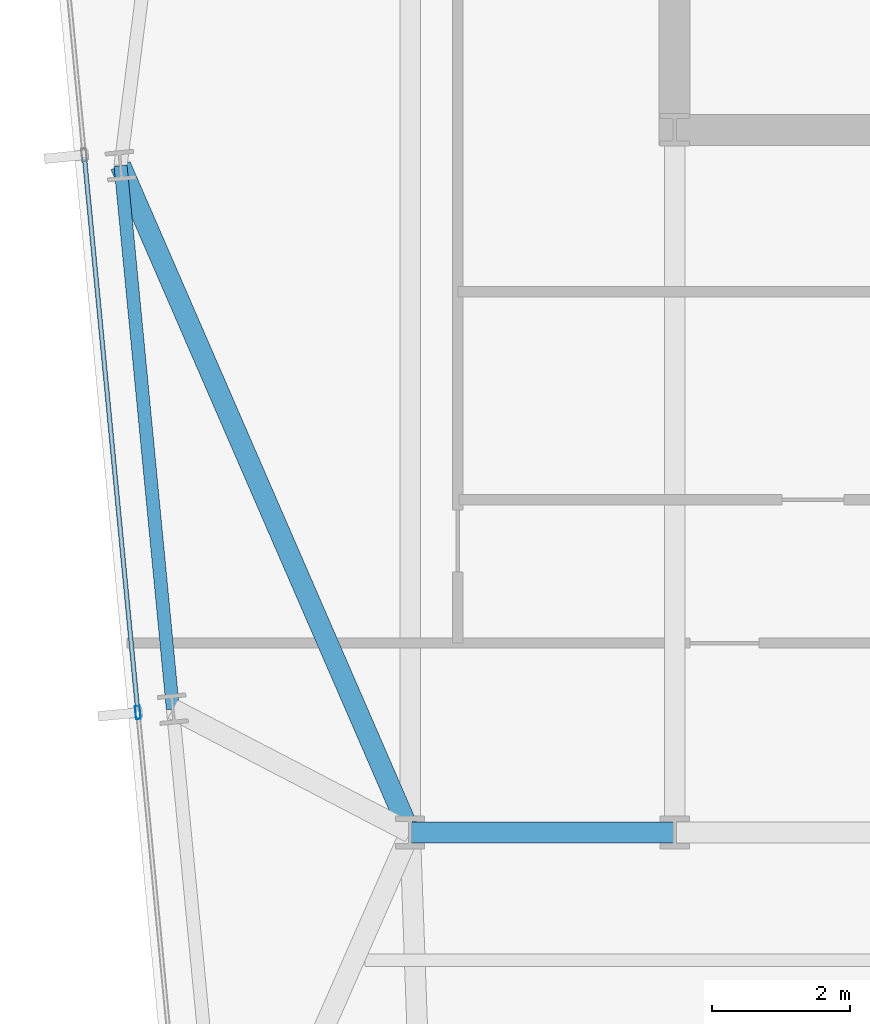
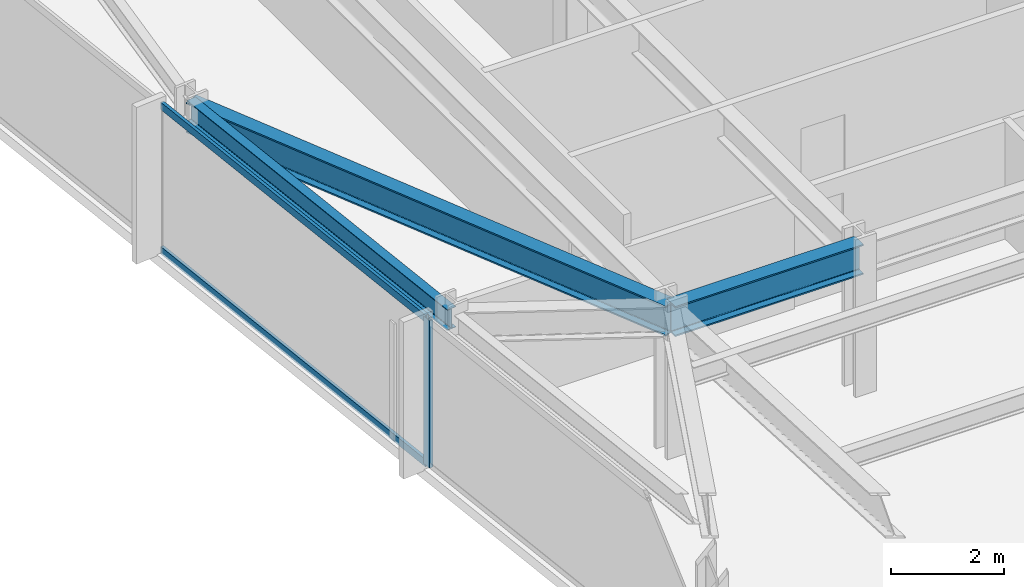
# One storey, part 6 of 32: 3 beams, 3 members, 1 element without a shape of its own.
"""IFC4 building model written with IfcOpenShell, lengths in metres."""

from ifc_helpers import new_model, si_unit, direction, frame, origin, origin_2d, place, context, subcontext, project, spatial, hollow_rectangle, i_section, extrude, material, material_profile, profile_set, type_object, element, aggregate, save


model = new_model("IFC4")

# Units and contexts
model_context = context("Model", 3, precision=1e-05, world=origin(), true_north=direction((0.0, 1.0)))
body_context = subcontext(model_context, "Body", "Model", "MODEL_VIEW")
ifc_project = project(units=[si_unit("LENGTHUNIT", "METRE"), si_unit("AREAUNIT", "SQUARE_METRE"), si_unit("VOLUMEUNIT", "CUBIC_METRE"), si_unit("PLANEANGLEUNIT", "RADIAN"), si_unit("MASSUNIT", "GRAM", prefix="KILO")], contexts=[model_context])

# Site, building, storey
site_placement = place(None, origin())
site = spatial("IfcSite", under=ifc_project, at=site_placement, CompositionType="ELEMENT")
building_placement = place(site_placement, origin())
building = spatial("IfcBuilding", under=site, at=building_placement, Name="Yelkora Congress Tower", CompositionType="ELEMENT")
storey_placement = place(building_placement, frame((0.0, 0.0, 130.5)))
storey = spatial("IfcBuildingStorey", under=building, at=storey_placement, Name="L35", CompositionType="ELEMENT", Elevation=130.5)

# Beams
ifc_material_1 = material(Name="Steel S355J2", Category="steel")
ifc_material_profile_1 = material_profile(ifc_material_1, i_section(OverallWidth=0.300048828125, OverallDepth=0.64990234375, WebThickness=0.01611328125, FlangeThickness=0.031005859375, FilletRadius=0.027099609375, at=origin_2d()), Name="HEB 650")
ifc_profile_set_1 = profile_set([ifc_material_profile_1], Name="Steel S355J2")
beam_type_1 = type_object("IfcBeamType", Name="BM-GIRD-HEB650", PredefinedType="BEAM", material=ifc_profile_set_1)
beam_1_placement = place(storey_placement, frame((19.199951171875, 25.199951171875, 2.85498046875), z_axis=(1.0, 0.0, 0.0), x_axis=(0.0, 1.0, 0.0)))
element("IfcBeam", 1, at=beam_1_placement, inside=storey, type_object=beam_type_1, Name="L35 Spine Grid D Girder 1", PredefinedType="BEAM", context=body_context, shape_type="SweptSolid", body=[
    extrude(i_section(OverallWidth=0.300048828125, OverallDepth=0.64990234375, WebThickness=0.01611328125, FlangeThickness=0.031005859375, FilletRadius=0.027099609375, at=origin_2d()), origin(), (0.0, 0.0, 1.0), 3.840087890625),
])
beam_2_placement = place(storey_placement, frame((14.997314453125, 34.87890625, 2.85498046875), z_axis=(0.398279362914, -0.917264165373, 0.0), x_axis=(0.917264165373, 0.398279362914, 0.0)))
element("IfcBeam", 2, at=beam_2_placement, inside=storey, type_object=beam_type_1, Name="L35 Primary Frame Girder W03", PredefinedType="BEAM", context=body_context, shape_type="SweptSolid", body=[
    extrude(i_section(OverallWidth=0.300048828125, OverallDepth=0.64990234375, WebThickness=0.01611328125, FlangeThickness=0.031005859375, FilletRadius=0.027099609375, at=origin_2d()), origin(), (0.0, 0.0, 1.0), 10.552001953125),
])
ifc_material_profile_2 = material_profile(ifc_material_1, i_section(OverallWidth=0.18994140625, OverallDepth=0.449951171875, WebThickness=0.009521484375, FlangeThickness=0.0146484375, FilletRadius=0.02099609375, at=origin_2d()), Name="IPE 450")
ifc_profile_set_2 = profile_set([ifc_material_profile_2], Name="Steel S355J2")
beam_type_2 = type_object("IfcBeamType", Name="BM-SPAN-IPE450", PredefinedType="SPANDREL", material=ifc_profile_set_2)
beam_3_placement = place(storey_placement, frame((14.997314453125, 34.87890625, 2.955078125), z_axis=(0.095870310714, -0.995393833376, 0.0), x_axis=(0.995393833376, 0.095870310714, 0.0)))
element("IfcBeam", 3, at=beam_3_placement, inside=storey, type_object=beam_type_2, Name="L35 Perimeter Beam 19", PredefinedType="SPANDREL", context=body_context, shape_type="SweptSolid", body=[
    extrude(i_section(OverallWidth=0.18994140625, OverallDepth=0.449951171875, WebThickness=0.009521484375, FlangeThickness=0.0146484375, FilletRadius=0.02099609375, at=origin_2d()), origin(), (0.0, 0.0, 1.0), 7.925048828125),
])

# Curtain wall, members
ifc_material_2 = material(Name="Anodised aluminium and insulated glass", Category="aluminium")
curtain_wall_type = type_object("IfcCurtainWallType", Name="CW-SYS-B2", PredefinedType="NOTDEFINED", material=ifc_material_2)
curtain_wall_placement = place(storey_placement, origin())
curtain_wall = element("IfcCurtainWall", 4, at=curtain_wall_placement, inside=storey, type_object=curtain_wall_type, Name="L35 Unitised Curtain Wall 5", PredefinedType="NOTDEFINED")
ifc_material_3 = material(Name="Anodised aluminium 6063-T6", Category="aluminium")
ifc_material_profile_3 = material_profile(ifc_material_3, hollow_rectangle(XDim=0.070068359375, YDim=0.18994140625, WallThickness=0.00390625, at=origin_2d()), Name="ALU 70x190x4")
ifc_profile_set_3 = profile_set([ifc_material_profile_3], Name="Anodised aluminium 6063-T6")
member_type_1 = type_object("IfcMemberType", Name="MEM-ML-B2", PredefinedType="MULLION", material=ifc_profile_set_3)
member_1_placement = place(storey_placement, frame((15.249267578125, 26.941650390625, 0.0), z_axis=(0.0, 0.0, 1.0), x_axis=(-0.995396507508, -0.095842541913, 0.0)))
member_1 = element("IfcMember", 5, at=member_1_placement, type_object=member_type_1, Name="CW-B2 mullion 3", PredefinedType="MULLION", context=body_context, shape_type="SweptSolid", body=[
    extrude(hollow_rectangle(XDim=0.070068359375, YDim=0.18994140625, WallThickness=0.00390625, at=origin_2d()), origin(), (0.0, 0.0, 1.0), 3.179931640625),
])
ifc_material_profile_4 = material_profile(ifc_material_3, hollow_rectangle(XDim=0.06494140625, YDim=0.159912109375, WallThickness=0.00390625, at=origin_2d()), Name="ALU 65x160x4")
ifc_profile_set_4 = profile_set([ifc_material_profile_4], Name="Anodised aluminium 6063-T6")
member_type_2 = type_object("IfcMemberType", Name="MEM-TR-B2", PredefinedType="USERDEFINED", material=ifc_profile_set_4)
member_2_placement = place(storey_placement, frame((15.245849609375, 26.976318359375, 0.032470703125), z_axis=(-0.095838228465, 0.995396922823, 0.0), x_axis=(-0.995396922823, -0.095838228465, 0.0)))
member_2 = element("IfcMember", 6, at=member_2_placement, type_object=member_type_2, Name="CW-B2 transom 3.1", ObjectType="TRANSOM", PredefinedType="USERDEFINED", context=body_context, shape_type="SweptSolid", body=[
    extrude(hollow_rectangle(XDim=0.06494140625, YDim=0.159912109375, WallThickness=0.00390625, at=origin_2d()), origin(), (0.0, 0.0, 1.0), 8.06005859375),
])
member_3_placement = place(storey_placement, frame((15.245849609375, 26.976318359375, 3.1474609375), z_axis=(-0.095838228465, 0.995396922823, 0.0), x_axis=(-0.995396922823, -0.095838228465, 0.0)))
member_3 = element("IfcMember", 7, at=member_3_placement, type_object=member_type_2, Name="CW-B2 transom 3.2", ObjectType="TRANSOM", PredefinedType="USERDEFINED", context=body_context, shape_type="SweptSolid", body=[
    extrude(hollow_rectangle(XDim=0.06494140625, YDim=0.159912109375, WallThickness=0.00390625, at=origin_2d()), origin(), (0.0, 0.0, 1.0), 8.06005859375),
])
aggregate(curtain_wall, [member_1, member_2, member_3])

save(model, "model.ifc")
